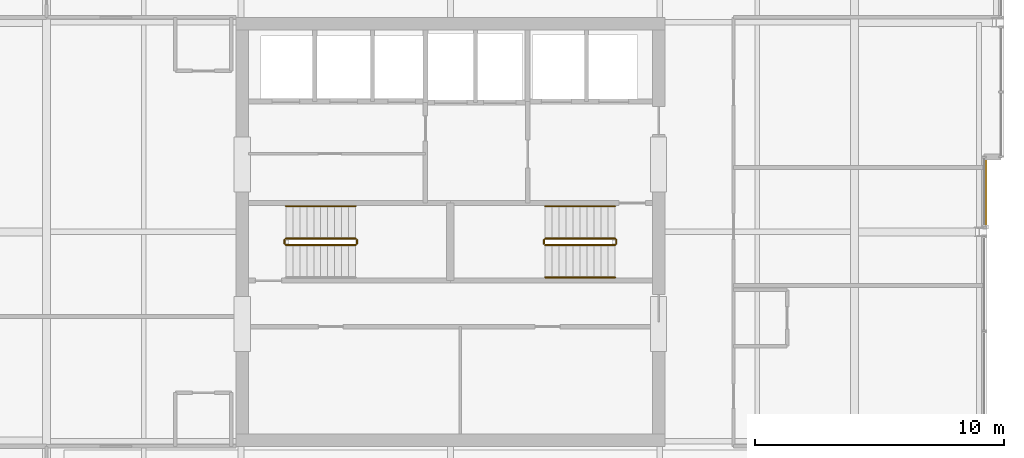
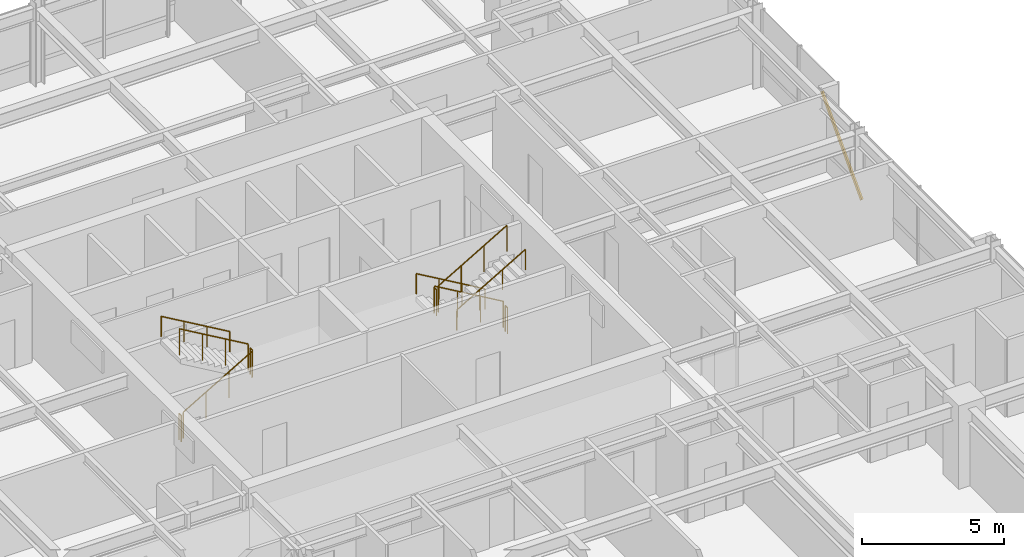
# One storey, part 31 of 32: 11 railings, 1 shading device.
"""IFC4 building model written with IfcOpenShell, lengths in metres."""

from ifc_helpers import new_model, si_unit, direction, frame, origin, origin_2d, place, context, subcontext, project, spatial, hollow_rectangle, circle, extrude, material, material_profile, profile_set, type_object, element, save


model = new_model("IFC4")

# Units and contexts
model_context = context("Model", 3, precision=1e-05, world=origin(), true_north=direction((0.0, 1.0)))
body_context = subcontext(model_context, "Body", "Model", "MODEL_VIEW")
ifc_project = project(units=[si_unit("LENGTHUNIT", "METRE"), si_unit("AREAUNIT", "SQUARE_METRE"), si_unit("VOLUMEUNIT", "CUBIC_METRE"), si_unit("PLANEANGLEUNIT", "RADIAN"), si_unit("MASSUNIT", "GRAM", prefix="KILO")], contexts=[model_context])

# Site, building, storey
site_placement = place(None, origin())
site = spatial("IfcSite", under=ifc_project, at=site_placement, CompositionType="ELEMENT")
building_placement = place(site_placement, origin())
building = spatial("IfcBuilding", under=site, at=building_placement, Name="Drelvath Grand Hotel", CompositionType="ELEMENT")
storey_placement = place(building_placement, frame((0.0, 0.0, 226.699951171875)))
storey = spatial("IfcBuildingStorey", under=building, at=storey_placement, Name="L59", CompositionType="ELEMENT", Elevation=226.699951171875)

# Railings
ifc_material_1 = material(Name="Painted Steel S275", Category="steel")
railing_type_1 = type_object("IfcRailingType", Name="Core Stair Wall Handrail 900", PredefinedType="HANDRAIL", material=ifc_material_1)
for number, where, name in (
    (1, (-3.800048828125, 28.030029296875, 1.963623046875), "L59 ST-1 stair handrail 2"),
    (2, (6.60009765625, 28.030029296875, 0.16357421875), "L59 ST-2 stair handrail 1"),
):
    element("IfcRailing", number, at=place(storey_placement, frame(where)), inside=storey, type_object=railing_type_1, Name=name, PredefinedType="HANDRAIL", context=body_context, shape_type="SweptSolid", body=[
        extrude(circle(Radius=0.02392578125, at=origin_2d()), frame((0.0, 0.0, 0.8759765625), z_axis=(-0.863360870873, 0.0, 0.504586966384), x_axis=(0.0, -1.0, 0.0)), (0.0, 0.0, 1.0), 3.2431640625),
        extrude(circle(Radius=0.02099609375, at=origin_2d()), origin(), (0.0, 0.0, 1.0), 0.851806640625),
        extrude(circle(Radius=0.02099609375, at=origin_2d()), frame((-0.933349609375, 0.0, 0.54541015625)), (0.0, 0.0, 1.0), 0.851806640625),
        extrude(circle(Radius=0.02099609375, at=origin_2d()), frame((-1.86669921875, 0.0, 1.091064453125)), (0.0, 0.0, 1.0), 0.851806640625),
        extrude(circle(Radius=0.02099609375, at=origin_2d()), frame((-2.800048828125, 0.0, 1.636474609375)), (0.0, 0.0, 1.0), 0.851806640625),
    ])
railing_1_placement = place(storey_placement, frame((3.800048828125, 25.169921875, 1.963623046875)))
element("IfcRailing", 3, at=railing_1_placement, inside=storey, type_object=railing_type_1, Name="L59 ST-2 stair handrail 2", PredefinedType="HANDRAIL", context=body_context, shape_type="SweptSolid", body=[
    extrude(circle(Radius=0.02392578125, at=origin_2d()), frame((0.0, 0.0, 0.8759765625), z_axis=(0.863360870873, 0.0, 0.504586966384), x_axis=(0.0, 1.0, 0.0)), (0.0, 0.0, 1.0), 3.2431640625),
    extrude(circle(Radius=0.02099609375, at=origin_2d()), origin(), (0.0, 0.0, 1.0), 0.851806640625),
    extrude(circle(Radius=0.02099609375, at=origin_2d()), frame((0.933349609375, 0.0, 0.54541015625)), (0.0, 0.0, 1.0), 0.851806640625),
    extrude(circle(Radius=0.02099609375, at=origin_2d()), frame((1.86669921875, 0.0, 1.091064453125)), (0.0, 0.0, 1.0), 0.851806640625),
    extrude(circle(Radius=0.02099609375, at=origin_2d()), frame((2.800048828125, 0.0, 1.636474609375)), (0.0, 0.0, 1.0), 0.851806640625),
])
railing_type_2 = type_object("IfcRailingType", Name="Core Stair Well Guardrail 1100", PredefinedType="GUARDRAIL", material=ifc_material_1)
railing_2_placement = place(storey_placement, frame((-6.60009765625, 26.469970703125, 0.16357421875)))
element("IfcRailing", 4, at=railing_2_placement, inside=storey, type_object=railing_type_2, Name="L59 ST-1 stair guard 1", PredefinedType="GUARDRAIL", context=body_context, shape_type="SweptSolid", body=[
    extrude(circle(Radius=0.02392578125, at=origin_2d()), frame((0.0, 0.0, 1.1259765625), z_axis=(0.863360870873, 0.0, 0.504586966384), x_axis=(0.0, 1.0, 0.0)), (0.0, 0.0, 1.0), 3.2431640625),
    extrude(circle(Radius=0.02099609375, at=origin_2d()), origin(), (0.0, 0.0, 1.0), 1.101806640625),
    extrude(circle(Radius=0.02099609375, at=origin_2d()), frame((0.933349609375, 0.0, 0.54541015625)), (0.0, 0.0, 1.0), 1.101806640625),
    extrude(circle(Radius=0.02099609375, at=origin_2d()), frame((1.86669921875, 0.0, 1.091064453125)), (0.0, 0.0, 1.0), 1.101806640625),
    extrude(circle(Radius=0.02099609375, at=origin_2d()), frame((2.800048828125, 0.0, 1.636474609375)), (0.0, 0.0, 1.0), 1.101806640625),
])
railing_3_placement = place(storey_placement, frame((-3.75, 26.52001953125, 1.800048828125)))
element("IfcRailing", 5, at=railing_3_placement, inside=storey, type_object=railing_type_2, Name="L59 ST-1 stair guard 2", PredefinedType="GUARDRAIL", context=body_context, shape_type="SweptSolid", body=[
    extrude(circle(Radius=0.02392578125, at=origin_2d()), frame((0.0, 0.0, 1.1259765625), z_axis=(0.0, 1.0, 0.0), x_axis=(-1.0, 0.0, 0.0)), (0.0, 0.0, 1.0), 0.159912109375),
    extrude(circle(Radius=0.02099609375, at=origin_2d()), origin(), (0.0, 0.0, 1.0), 1.101806640625),
    extrude(circle(Radius=0.02099609375, at=origin_2d()), frame((0.0, 0.159912109375, 0.0)), (0.0, 0.0, 1.0), 1.101806640625),
])
railing_4_placement = place(storey_placement, frame((-3.800048828125, 26.72998046875, 1.963623046875)))
element("IfcRailing", 6, at=railing_4_placement, inside=storey, type_object=railing_type_2, Name="L59 ST-1 stair guard 3", PredefinedType="GUARDRAIL", context=body_context, shape_type="SweptSolid", body=[
    extrude(circle(Radius=0.02392578125, at=origin_2d()), frame((0.0, 0.0, 1.1259765625), z_axis=(-0.863360870873, 0.0, 0.504586966384), x_axis=(0.0, -1.0, 0.0)), (0.0, 0.0, 1.0), 3.2431640625),
    extrude(circle(Radius=0.02099609375, at=origin_2d()), origin(), (0.0, 0.0, 1.0), 1.101806640625),
    extrude(circle(Radius=0.02099609375, at=origin_2d()), frame((-0.933349609375, 0.0, 0.54541015625)), (0.0, 0.0, 1.0), 1.101806640625),
    extrude(circle(Radius=0.02099609375, at=origin_2d()), frame((-1.86669921875, 0.0, 1.091064453125)), (0.0, 0.0, 1.0), 1.101806640625),
    extrude(circle(Radius=0.02099609375, at=origin_2d()), frame((-2.800048828125, 0.0, 1.636474609375)), (0.0, 0.0, 1.0), 1.101806640625),
])
railing_5_placement = place(storey_placement, frame((-6.64990234375, 26.52001953125, 0.0)))
element("IfcRailing", 7, at=railing_5_placement, inside=storey, type_object=railing_type_2, Name="L59 ST-1 stair guard 4", PredefinedType="GUARDRAIL", context=body_context, shape_type="SweptSolid", body=[
    extrude(circle(Radius=0.02392578125, at=origin_2d()), frame((0.0, 0.0, 1.1259765625), z_axis=(0.0, 1.0, 0.0), x_axis=(-1.0, 0.0, 0.0)), (0.0, 0.0, 1.0), 0.159912109375),
    extrude(circle(Radius=0.02099609375, at=origin_2d()), origin(), (0.0, 0.0, 1.0), 1.101806640625),
    extrude(circle(Radius=0.02099609375, at=origin_2d()), frame((0.0, 0.159912109375, 0.0)), (0.0, 0.0, 1.0), 1.101806640625),
])
railing_6_placement = place(storey_placement, frame((6.60009765625, 26.72998046875, 0.16357421875)))
element("IfcRailing", 8, at=railing_6_placement, inside=storey, type_object=railing_type_2, Name="L59 ST-2 stair guard 1", PredefinedType="GUARDRAIL", context=body_context, shape_type="SweptSolid", body=[
    extrude(circle(Radius=0.02392578125, at=origin_2d()), frame((0.0, 0.0, 1.1259765625), z_axis=(-0.863360870873, 0.0, 0.504586966384), x_axis=(0.0, -1.0, 0.0)), (0.0, 0.0, 1.0), 3.2431640625),
    extrude(circle(Radius=0.02099609375, at=origin_2d()), origin(), (0.0, 0.0, 1.0), 1.101806640625),
    extrude(circle(Radius=0.02099609375, at=origin_2d()), frame((-0.933349609375, 0.0, 0.54541015625)), (0.0, 0.0, 1.0), 1.101806640625),
    extrude(circle(Radius=0.02099609375, at=origin_2d()), frame((-1.86669921875, 0.0, 1.091064453125)), (0.0, 0.0, 1.0), 1.101806640625),
    extrude(circle(Radius=0.02099609375, at=origin_2d()), frame((-2.800048828125, 0.0, 1.636474609375)), (0.0, 0.0, 1.0), 1.101806640625),
])
railing_7_placement = place(storey_placement, frame((3.75, 26.679931640625, 1.800048828125)))
element("IfcRailing", 9, at=railing_7_placement, inside=storey, type_object=railing_type_2, Name="L59 ST-2 stair guard 2", PredefinedType="GUARDRAIL", context=body_context, shape_type="SweptSolid", body=[
    extrude(circle(Radius=0.02392578125, at=origin_2d()), frame((0.0, 0.0, 1.1259765625), z_axis=(0.0, -1.0, 0.0), x_axis=(1.0, 0.0, 0.0)), (0.0, 0.0, 1.0), 0.159912109375),
    extrude(circle(Radius=0.02099609375, at=origin_2d()), origin(), (0.0, 0.0, 1.0), 1.101806640625),
    extrude(circle(Radius=0.02099609375, at=origin_2d()), frame((0.0, -0.159912109375, 0.0)), (0.0, 0.0, 1.0), 1.101806640625),
])
railing_8_placement = place(storey_placement, frame((3.800048828125, 26.469970703125, 1.963623046875)))
element("IfcRailing", 10, at=railing_8_placement, inside=storey, type_object=railing_type_2, Name="L59 ST-2 stair guard 3", PredefinedType="GUARDRAIL", context=body_context, shape_type="SweptSolid", body=[
    extrude(circle(Radius=0.02392578125, at=origin_2d()), frame((0.0, 0.0, 1.1259765625), z_axis=(0.863360870873, 0.0, 0.504586966384), x_axis=(0.0, 1.0, 0.0)), (0.0, 0.0, 1.0), 3.2431640625),
    extrude(circle(Radius=0.02099609375, at=origin_2d()), origin(), (0.0, 0.0, 1.0), 1.101806640625),
    extrude(circle(Radius=0.02099609375, at=origin_2d()), frame((0.933349609375, 0.0, 0.54541015625)), (0.0, 0.0, 1.0), 1.101806640625),
    extrude(circle(Radius=0.02099609375, at=origin_2d()), frame((1.86669921875, 0.0, 1.091064453125)), (0.0, 0.0, 1.0), 1.101806640625),
    extrude(circle(Radius=0.02099609375, at=origin_2d()), frame((2.800048828125, 0.0, 1.636474609375)), (0.0, 0.0, 1.0), 1.101806640625),
])
railing_9_placement = place(storey_placement, frame((6.64990234375, 26.679931640625, 0.0)))
element("IfcRailing", 11, at=railing_9_placement, inside=storey, type_object=railing_type_2, Name="L59 ST-2 stair guard 4", PredefinedType="GUARDRAIL", context=body_context, shape_type="SweptSolid", body=[
    extrude(circle(Radius=0.02392578125, at=origin_2d()), frame((0.0, 0.0, 1.1259765625), z_axis=(0.0, -1.0, 0.0), x_axis=(1.0, 0.0, 0.0)), (0.0, 0.0, 1.0), 0.159912109375),
    extrude(circle(Radius=0.02099609375, at=origin_2d()), origin(), (0.0, 0.0, 1.0), 1.101806640625),
    extrude(circle(Radius=0.02099609375, at=origin_2d()), frame((0.0, -0.159912109375, 0.0)), (0.0, 0.0, 1.0), 1.101806640625),
])

# Shading device
ifc_material_2 = material(Name="Platinum-Mist Anodised Aluminium", Category="aluminium")
ifc_material_profile = material_profile(ifc_material_2, hollow_rectangle(XDim=0.06494140625, YDim=0.159912109375, WallThickness=0.00390625, at=origin_2d()), Name="HSS160X65X4")
ifc_profile_set = profile_set([ifc_material_profile], Name="Platinum-Mist Anodised Aluminium")
shading_device_type = type_object("IfcShadingDeviceType", Name="Diagonal Solar Fin Platinum Anodised HSS160X65X4", PredefinedType="USERDEFINED", material=ifc_profile_set)
shading_device_placement = place(storey_placement, frame((21.47998046875, 27.185302734375, 0.179931640625), z_axis=(0.0, 0.686628779373, 0.727008197572), x_axis=(-1.0, 0.0, 0.0)))
element("IfcShadingDevice", 12, at=shading_device_placement, inside=storey, type_object=shading_device_type, Name="L59 Diagonal Anodised Fin CW05-L59-EM2", ObjectType="FIN", PredefinedType="USERDEFINED", context=body_context, shape_type="SweptSolid", body=[
    extrude(hollow_rectangle(XDim=0.06494140625, YDim=0.159912109375, WallThickness=0.00390625, at=origin_2d()), origin(), (0.0, 0.0, 1.0), 4.099365234375),
])

save(model, "model.ifc")
